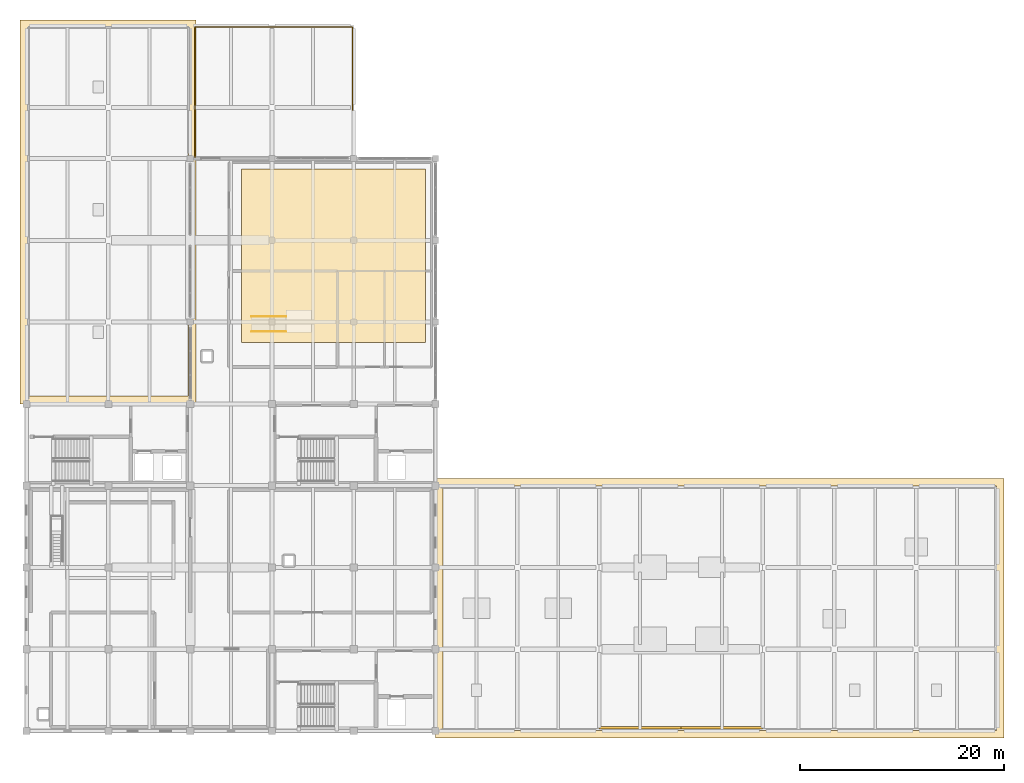
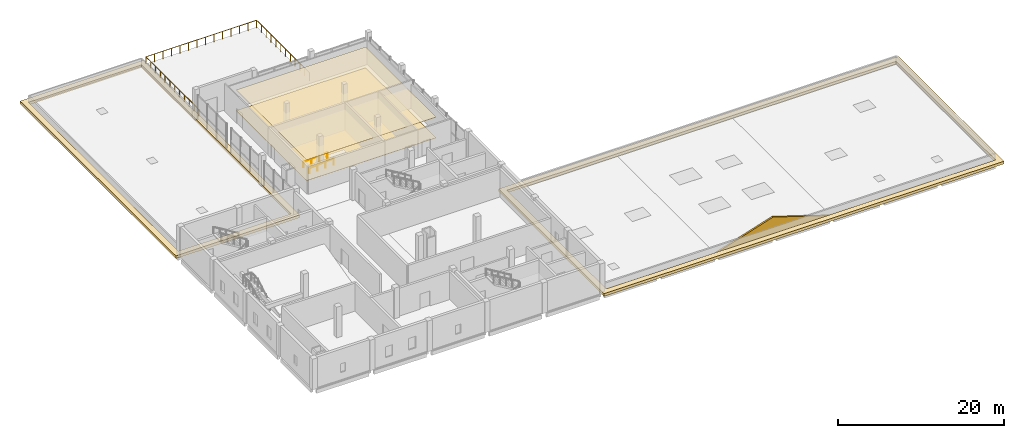
# One storey, part 14 of 14: 5 coverings, 3 railings.
"""IFC4 building model written with IfcOpenShell, lengths in metres."""

from ifc_helpers import new_model, si_unit, direction, frame, origin, origin_2d, place, context, subcontext, project, spatial, polyline, circle, outline, extrude, material, layer, layer_set, type_object, element, save


model = new_model("IFC4")

# Units and contexts
model_context = context("Model", 3, precision=1e-05, world=origin(), true_north=direction((0.0, 1.0)))
body_context = subcontext(model_context, "Body", "Model", "MODEL_VIEW")
ifc_project = project(units=[si_unit("LENGTHUNIT", "METRE"), si_unit("AREAUNIT", "SQUARE_METRE"), si_unit("VOLUMEUNIT", "CUBIC_METRE"), si_unit("PLANEANGLEUNIT", "RADIAN"), si_unit("MASSUNIT", "GRAM", prefix="KILO")], contexts=[model_context])

# Site, building, storey
site_placement = place(None, origin())
site = spatial("IfcSite", under=ifc_project, at=site_placement, CompositionType="ELEMENT")
building_placement = place(site_placement, origin())
building = spatial("IfcBuilding", under=site, at=building_placement, Name="Qorikala Patio Media Centre", CompositionType="ELEMENT")
storey_placement = place(building_placement, frame((0.0, 0.0, 23.39990234375)))
storey = spatial("IfcBuildingStorey", under=building, at=storey_placement, Name="L05", CompositionType="ELEMENT", Elevation=23.39990234375)

# Coverings
ifc_material_1 = material(Name="Perforated Andean Timber Acoustic Ceiling", Category="wood")
ifc_layer_1 = layer(ifc_material_1, 0.0400390625)
ifc_layer_set_1 = layer_set([ifc_layer_1], Name="Perforated Andean Timber Acoustic Ceiling")
covering_type_1 = type_object("IfcCoveringType", Name="COV-CEIL-AC", PredefinedType="CEILING", material=ifc_layer_set_1)
covering_1_placement = place(storey_placement, frame((0.0, 0.0, 3.050048828125)))
element("IfcCovering", 1, at=covering_1_placement, inside=storey, type_object=covering_type_1, Name="L05 Acoustic Timber Ceiling 11", PredefinedType="CEILING", context=body_context, shape_type="SweptSolid", body=[
    extrude(outline(polyline([(24.0, 41.0), (42.0, 41.0), (42.0, 58.0), (24.0, 58.0), (24.0, 41.0)])), origin(), (0.0, 0.0, 1.0), 0.0400390625),
])
ifc_material_2 = material(Name="Comanche Granite Ashlar Stone", Category="masonry")
ifc_layer_2 = layer(ifc_material_2, 0.06005859375)
ifc_layer_set_2 = layer_set([ifc_layer_2], Name="Comanche Granite Ashlar Stone")
covering_type_2 = type_object("IfcCoveringType", Name="COV-CLAD-STONE", PredefinedType="CLADDING", material=ifc_layer_set_2)
covering_2_placement = place(storey_placement, frame((0.0, 0.0, -0.14990234375)))
element("IfcCovering", 2, at=covering_2_placement, inside=storey, type_object=covering_type_2, Name="Classical Moulded Stone Cornice CORN-V2-TOP", PredefinedType="CLADDING", context=body_context, shape_type="SweptSolid", body=[
    extrude(outline(polyline([(43.0, 2.300048828125), (98.60009765625, 2.300048828125), (98.60009765625, 27.699951171875), (43.0, 27.699951171875), (43.0, 2.300048828125)]), holes=[polyline([(43.75, 3.050048828125), (97.85009765625, 3.050048828125), (97.85009765625, 26.949951171875), (43.75, 26.949951171875), (43.75, 3.050048828125)])]), origin(), (0.0, 0.0, 1.0), 0.39990234375),
])
covering_3_placement = place(storey_placement, frame((0.0, 0.0, -0.199951171875)))
element("IfcCovering", 3, at=covering_3_placement, inside=storey, type_object=covering_type_2, Name="Classical Moulded Stone Cornice CORN-V3-TOP", PredefinedType="CLADDING", context=body_context, shape_type="SweptSolid", body=[
    extrude(outline(polyline([(2.35009765625, 35.0), (19.550048828125, 35.0), (19.550048828125, 72.550048828125), (2.35009765625, 72.550048828125), (2.35009765625, 35.0)]), holes=[polyline([(3.10009765625, 35.75), (18.800048828125, 35.75), (18.800048828125, 71.800048828125), (3.10009765625, 71.800048828125), (3.10009765625, 35.75)])]), origin(), (0.0, 0.0, 1.0), 0.400146484375),
])
covering_4_placement = place(storey_placement, frame((59.0, 3.18994140625, 0.0), z_axis=(0.0, -1.0, 0.0), x_axis=(1.0, 0.0, 0.0)))
element("IfcCovering", 4, at=covering_4_placement, inside=storey, type_object=covering_type_2, Name="Spanish Colonial Espadana Stone Pediment ESP-PORTAL-S", PredefinedType="CLADDING", context=body_context, shape_type="SweptSolid", body=[
    extrude(outline(polyline([(0.0, 0.0), (16.0, 0.0), (8.0, 2.550048828125), (0.0, 0.0)])), origin(), (0.0, 0.0, -1.0), 0.239990234375),
])
ifc_material_3 = material(Name="Honed Comanche Granite Flooring", Category="masonry")
ifc_layer_3 = layer(ifc_material_3, 0.034912109375)
ifc_layer_set_3 = layer_set([ifc_layer_3], Name="Honed Comanche Granite Flooring")
covering_type_3 = type_object("IfcCoveringType", Name="COV-FLOR-STONE", PredefinedType="FLOORING", material=ifc_layer_set_3)
covering_5_placement = place(storey_placement, origin())
element("IfcCovering", 5, at=covering_5_placement, inside=storey, type_object=covering_type_3, Name="L05 Honed Comanche Granite Flooring 11", PredefinedType="FLOORING", context=body_context, shape_type="SweptSolid", body=[
    extrude(outline(polyline([(24.0, 41.0), (42.0, 41.0), (42.0, 58.0), (24.0, 58.0), (24.0, 41.0)])), origin(), (0.0, 0.0, 1.0), 0.03515625),
])

# Railings
ifc_material_4 = material(Name="Brushed Bronze Tubular Steel S355", Category="steel")
railing_type_1 = type_object("IfcRailingType", Name="RL-HAND-090", PredefinedType="HANDRAIL", material=ifc_material_4)
for number, where, name in (
    (6, (25.0, 42.06005859375, 0.0), "RP-05 Accessible Ramp Handrail L"),
    (7, (25.0, 43.5400390625, 0.0), "RP-05 Accessible Ramp Handrail R"),
):
    element("IfcRailing", number, at=place(storey_placement, frame(where)), inside=storey, type_object=railing_type_1, Name=name, PredefinedType="HANDRAIL", context=body_context, shape_type="SweptSolid", body=[
        extrude(circle(Radius=0.02392578125, at=origin_2d()), frame((0.0, 0.0, 0.8759765625), z_axis=(0.997459067706, 0.0, 0.071241899553), x_axis=(0.0, 1.0, 0.0)), (0.0, 0.0, 1.0), 3.36865234375),
        extrude(circle(Radius=0.02099609375, at=origin_2d()), origin(), (0.0, 0.0, 1.0), 0.851806640625),
        extrude(circle(Radius=0.02099609375, at=origin_2d()), frame((1.1201171875, 0.0, 0.080078125)), (0.0, 0.0, 1.0), 0.851806640625),
        extrude(circle(Radius=0.02099609375, at=origin_2d()), frame((2.239990234375, 0.0, 0.159912109375)), (0.0, 0.0, 1.0), 0.851806640625),
        extrude(circle(Radius=0.02099609375, at=origin_2d()), frame((3.360107421875, 0.0, 0.239990234375)), (0.0, 0.0, 1.0), 0.851806640625),
    ])
ifc_material_5 = material(Name="Wrought Bronze Baluster Guardrail")
railing_type_2 = type_object("IfcRailingType", Name="RL-TERR-115", PredefinedType="GUARDRAIL", material=ifc_material_5)
railing_placement = place(storey_placement, frame((19.449951171875, 59.10009765625, 0.0)))
element("IfcRailing", 8, at=railing_placement, inside=storey, type_object=railing_type_2, Name="L05 Outdoor Terrace Guardrail RL-L05-TERRACE", PredefinedType="GUARDRAIL", context=body_context, shape_type="SweptSolid", body=[
    extrude(circle(Radius=0.02392578125, at=origin_2d()), frame((0.0, 0.0, 1.1259765625), z_axis=(0.0, 1.0, 0.0), x_axis=(-1.0, 0.0, 0.0)), (0.0, 0.0, 1.0), 12.75),
    extrude(circle(Radius=0.02392578125, at=origin_2d()), frame((0.0, 12.75, 1.1259765625), z_axis=(1.0, 0.0, 0.0), x_axis=(0.0, 1.0, 0.0)), (0.0, 0.0, 1.0), 15.400146484375),
    extrude(circle(Radius=0.02392578125, at=origin_2d()), frame((15.400146484375, 12.75, 1.1259765625), z_axis=(0.0, -1.0, 0.0), x_axis=(1.0, 0.0, 0.0)), (0.0, 0.0, 1.0), 12.75),
    extrude(circle(Radius=0.02099609375, at=origin_2d()), origin(), (0.0, 0.0, 1.0), 1.101806640625),
    extrude(circle(Radius=0.02099609375, at=origin_2d()), frame((0.0, 1.1591796875, 0.0)), (0.0, 0.0, 1.0), 1.101806640625),
    extrude(circle(Radius=0.02099609375, at=origin_2d()), frame((0.0, 2.318115234375, 0.0)), (0.0, 0.0, 1.0), 1.101806640625),
    extrude(circle(Radius=0.02099609375, at=origin_2d()), frame((0.0, 3.477294921875, 0.0)), (0.0, 0.0, 1.0), 1.101806640625),
    extrude(circle(Radius=0.02099609375, at=origin_2d()), frame((0.0, 4.636474609375, 0.0)), (0.0, 0.0, 1.0), 1.101806640625),
    extrude(circle(Radius=0.02099609375, at=origin_2d()), frame((0.0, 5.79541015625, 0.0)), (0.0, 0.0, 1.0), 1.101806640625),
    extrude(circle(Radius=0.02099609375, at=origin_2d()), frame((0.0, 6.95458984375, 0.0)), (0.0, 0.0, 1.0), 1.101806640625),
    extrude(circle(Radius=0.02099609375, at=origin_2d()), frame((0.0, 8.113525390625, 0.0)), (0.0, 0.0, 1.0), 1.101806640625),
    extrude(circle(Radius=0.02099609375, at=origin_2d()), frame((0.0, 9.272705078125, 0.0)), (0.0, 0.0, 1.0), 1.101806640625),
    extrude(circle(Radius=0.02099609375, at=origin_2d()), frame((0.0, 10.431884765625, 0.0)), (0.0, 0.0, 1.0), 1.101806640625),
    extrude(circle(Radius=0.02099609375, at=origin_2d()), frame((0.0, 11.5908203125, 0.0)), (0.0, 0.0, 1.0), 1.101806640625),
    extrude(circle(Radius=0.02099609375, at=origin_2d()), frame((0.0, 12.75, 0.0)), (0.0, 0.0, 1.0), 1.101806640625),
    extrude(circle(Radius=0.02099609375, at=origin_2d()), frame((1.1845703125, 12.75, 0.0)), (0.0, 0.0, 1.0), 1.101806640625),
    extrude(circle(Radius=0.02099609375, at=origin_2d()), frame((2.369140625, 12.75, 0.0)), (0.0, 0.0, 1.0), 1.101806640625),
    extrude(circle(Radius=0.02099609375, at=origin_2d()), frame((3.553955078125, 12.75, 0.0)), (0.0, 0.0, 1.0), 1.101806640625),
    extrude(circle(Radius=0.02099609375, at=origin_2d()), frame((4.738525390625, 12.75, 0.0)), (0.0, 0.0, 1.0), 1.101806640625),
    extrude(circle(Radius=0.02099609375, at=origin_2d()), frame((5.923095703125, 12.75, 0.0)), (0.0, 0.0, 1.0), 1.101806640625),
    extrude(circle(Radius=0.02099609375, at=origin_2d()), frame((7.107666015625, 12.75, 0.0)), (0.0, 0.0, 1.0), 1.101806640625),
    extrude(circle(Radius=0.02099609375, at=origin_2d()), frame((8.29248046875, 12.75, 0.0)), (0.0, 0.0, 1.0), 1.101806640625),
    extrude(circle(Radius=0.02099609375, at=origin_2d()), frame((9.47705078125, 12.75, 0.0)), (0.0, 0.0, 1.0), 1.101806640625),
    extrude(circle(Radius=0.02099609375, at=origin_2d()), frame((10.66162109375, 12.75, 0.0)), (0.0, 0.0, 1.0), 1.101806640625),
    extrude(circle(Radius=0.02099609375, at=origin_2d()), frame((11.84619140625, 12.75, 0.0)), (0.0, 0.0, 1.0), 1.101806640625),
    extrude(circle(Radius=0.02099609375, at=origin_2d()), frame((13.031005859375, 12.75, 0.0)), (0.0, 0.0, 1.0), 1.101806640625),
    extrude(circle(Radius=0.02099609375, at=origin_2d()), frame((14.215576171875, 12.75, 0.0)), (0.0, 0.0, 1.0), 1.101806640625),
    extrude(circle(Radius=0.02099609375, at=origin_2d()), frame((15.400146484375, 12.75, 0.0)), (0.0, 0.0, 1.0), 1.101806640625),
    extrude(circle(Radius=0.02099609375, at=origin_2d()), frame((15.400146484375, 11.5908203125, 0.0)), (0.0, 0.0, 1.0), 1.101806640625),
    extrude(circle(Radius=0.02099609375, at=origin_2d()), frame((15.400146484375, 10.431884765625, 0.0)), (0.0, 0.0, 1.0), 1.101806640625),
    extrude(circle(Radius=0.02099609375, at=origin_2d()), frame((15.400146484375, 9.272705078125, 0.0)), (0.0, 0.0, 1.0), 1.101806640625),
    extrude(circle(Radius=0.02099609375, at=origin_2d()), frame((15.400146484375, 8.113525390625, 0.0)), (0.0, 0.0, 1.0), 1.101806640625),
    extrude(circle(Radius=0.02099609375, at=origin_2d()), frame((15.400146484375, 6.95458984375, 0.0)), (0.0, 0.0, 1.0), 1.101806640625),
    extrude(circle(Radius=0.02099609375, at=origin_2d()), frame((15.400146484375, 5.79541015625, 0.0)), (0.0, 0.0, 1.0), 1.101806640625),
    extrude(circle(Radius=0.02099609375, at=origin_2d()), frame((15.400146484375, 4.636474609375, 0.0)), (0.0, 0.0, 1.0), 1.101806640625),
    extrude(circle(Radius=0.02099609375, at=origin_2d()), frame((15.400146484375, 3.477294921875, 0.0)), (0.0, 0.0, 1.0), 1.101806640625),
    extrude(circle(Radius=0.02099609375, at=origin_2d()), frame((15.400146484375, 2.318115234375, 0.0)), (0.0, 0.0, 1.0), 1.101806640625),
    extrude(circle(Radius=0.02099609375, at=origin_2d()), frame((15.400146484375, 1.1591796875, 0.0)), (0.0, 0.0, 1.0), 1.101806640625),
    extrude(circle(Radius=0.02099609375, at=origin_2d()), frame((15.400146484375, 0.0, 0.0)), (0.0, 0.0, 1.0), 1.101806640625),
])

save(model, "model.ifc")
